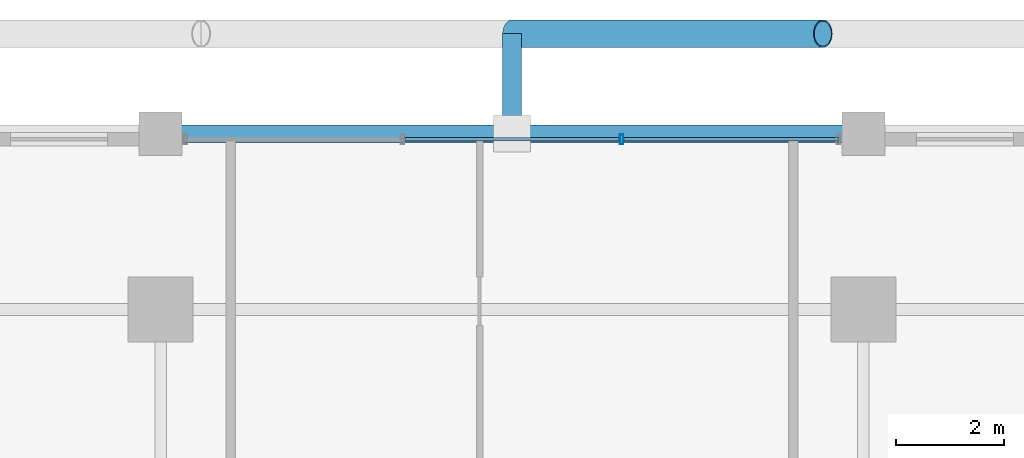
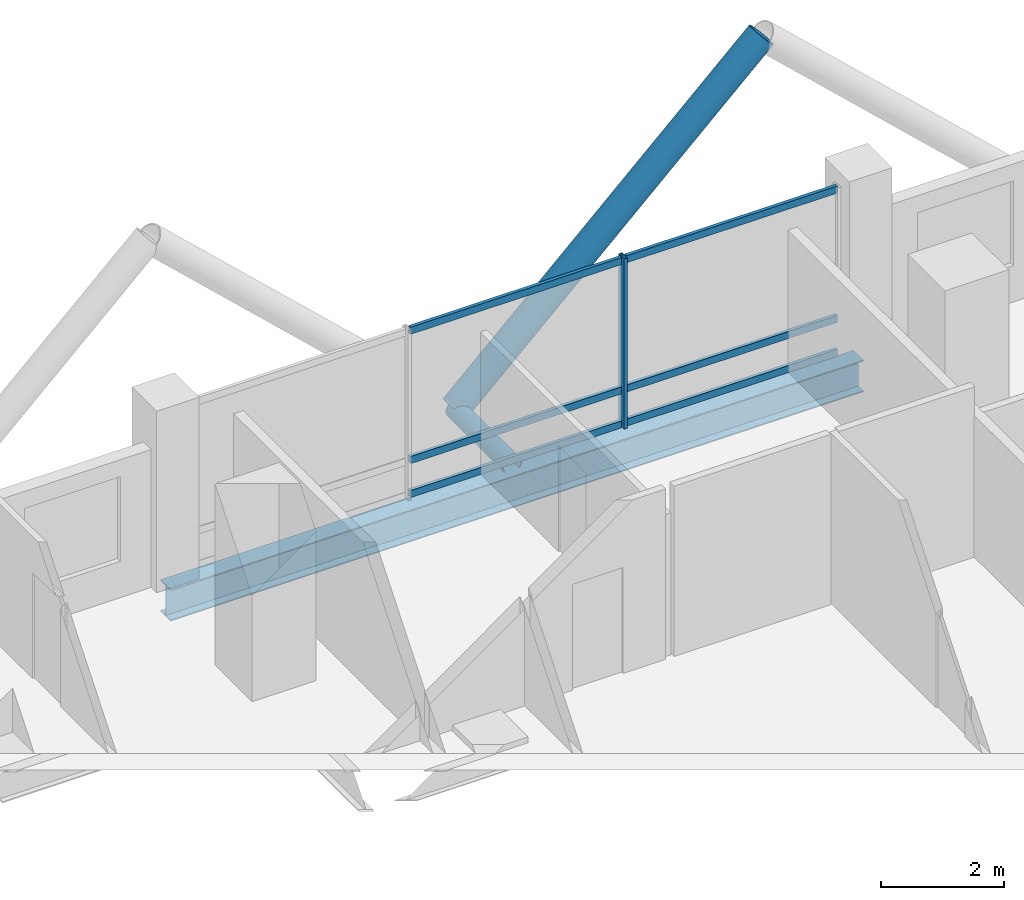
# One storey, part 15 of 24: 9 members, 1 beam, 1 element without a shape of its own.
"""IFC4 building model written with IfcOpenShell, lengths in metres."""

from ifc_helpers import new_model, si_unit, direction, frame, origin, origin_2d, place, context, subcontext, project, spatial, hollow_rectangle, hollow_circle, i_section, extrude, material, layer, layer_set, material_profile, profile_set, type_object, element, aggregate, save


model = new_model("IFC4")

# Units and contexts
model_context = context("Model", 3, precision=1e-05, world=origin(), true_north=direction((0.0, 1.0)))
body_context = subcontext(model_context, "Body", "Model", "MODEL_VIEW")
ifc_project = project(units=[si_unit("LENGTHUNIT", "METRE"), si_unit("AREAUNIT", "SQUARE_METRE"), si_unit("VOLUMEUNIT", "CUBIC_METRE"), si_unit("PLANEANGLEUNIT", "RADIAN"), si_unit("MASSUNIT", "GRAM", prefix="KILO")], contexts=[model_context])

# Site, building, storey
site_placement = place(None, origin())
site = spatial("IfcSite", under=ifc_project, at=site_placement, CompositionType="ELEMENT")
building_placement = place(site_placement, origin())
building = spatial("IfcBuilding", under=site, at=building_placement, Name="Barlavira Tower and Art Museum", CompositionType="ELEMENT")
storey_placement = place(building_placement, frame((0.0, 0.0, 109.800048828125)))
storey = spatial("IfcBuildingStorey", under=building, at=storey_placement, Name="L27", CompositionType="ELEMENT", Elevation=109.800048828125)

# Curtain wall, members
ifc_material_1 = material(Name="Low-iron coastal laminated glass", Category="glass")
ifc_layer = layer(ifc_material_1, 0.18994140625, Name="Low-iron coastal laminated glass")
ifc_layer_set = layer_set([ifc_layer], Name="Low-iron coastal laminated glass")
curtain_wall_type = type_object("IfcCurtainWallType", Name="Pale-Metal Unitised Curtain Wall Zone 2", PredefinedType="NOTDEFINED", material=ifc_layer_set)
curtain_wall_placement = place(storey_placement, origin())
curtain_wall = element("IfcCurtainWall", 1, at=curtain_wall_placement, inside=storey, type_object=curtain_wall_type, Name="L27 Curtain Wall CW2-L27-N-B3", PredefinedType="NOTDEFINED")
ifc_material_2 = material(Name="Pale anodised aluminium", Category="aluminium")
ifc_material_profile_1 = material_profile(ifc_material_2, hollow_rectangle(XDim=0.06494140625, YDim=0.179931640625, WallThickness=0.00390625, at=origin_2d()), Name="ALU-MULL 65x180x4")
ifc_profile_set_1 = profile_set([ifc_material_profile_1], Name="Pale anodised aluminium")
member_type_1 = type_object("IfcMemberType", Name="Curtain Wall Pale-Metal Mullion 65x180", PredefinedType="MULLION", material=ifc_profile_set_1)
member_1_placement = place(storey_placement, frame((2.026611328125, 23.14990234375, 0.0), z_axis=(0.0, 0.0, 1.0), x_axis=(-1.0, 0.0, 0.0)))
member_1 = element("IfcMember", 2, at=member_1_placement, type_object=member_type_1, Name="CW2-L27-N-B3 Mullion 1", PredefinedType="MULLION", context=body_context, shape_type="SweptSolid", body=[
    extrude(hollow_rectangle(XDim=0.06494140625, YDim=0.179931640625, WallThickness=0.00390625, at=origin_2d()), origin(), (0.0, 0.0, 1.0), 3.3798828125),
])
ifc_material_profile_2 = material_profile(ifc_material_2, hollow_rectangle(XDim=0.06494140625, YDim=0.139892578125, WallThickness=0.00390625, at=origin_2d()), Name="ALU-TRAN 65x140x4")
ifc_profile_set_2 = profile_set([ifc_material_profile_2], Name="Pale anodised aluminium")
member_type_2 = type_object("IfcMemberType", Name="Curtain Wall Pale-Metal Transom 65x140", PredefinedType="USERDEFINED", material=ifc_profile_set_2)
member_2_placement = place(storey_placement, frame((6.034912109375, 23.14990234375, 0.070068359375), z_axis=(-1.0, 0.0, 0.0), x_axis=(0.0, -1.0, 0.0)))
member_2 = element("IfcMember", 3, at=member_2_placement, type_object=member_type_2, Name="CW2-L27-N-B3 Transom 0.1", ObjectType="TRANSOM", PredefinedType="USERDEFINED", context=body_context, shape_type="SweptSolid", body=[
    extrude(hollow_rectangle(XDim=0.06494140625, YDim=0.139892578125, WallThickness=0.00390625, at=origin_2d()), origin(), (0.0, 0.0, 1.0), 3.963134765625),
])
member_3_placement = place(storey_placement, frame((6.034912109375, 23.14990234375, 0.743896484375), z_axis=(-1.0, 0.0, 0.0), x_axis=(0.0, -1.0, 0.0)))
member_3 = element("IfcMember", 4, at=member_3_placement, type_object=member_type_2, Name="CW2-L27-N-B3 Transom 0.2", ObjectType="TRANSOM", PredefinedType="USERDEFINED", context=body_context, shape_type="SweptSolid", body=[
    extrude(hollow_rectangle(XDim=0.06494140625, YDim=0.139892578125, WallThickness=0.00390625, at=origin_2d()), origin(), (0.0, 0.0, 1.0), 3.963134765625),
])
member_4_placement = place(storey_placement, frame((6.034912109375, 23.14990234375, 3.31005859375), z_axis=(-1.0, 0.0, 0.0), x_axis=(0.0, -1.0, 0.0)))
member_4 = element("IfcMember", 5, at=member_4_placement, type_object=member_type_2, Name="CW2-L27-N-B3 Transom 0.3", ObjectType="TRANSOM", PredefinedType="USERDEFINED", context=body_context, shape_type="SweptSolid", body=[
    extrude(hollow_rectangle(XDim=0.06494140625, YDim=0.139892578125, WallThickness=0.00390625, at=origin_2d()), origin(), (0.0, 0.0, 1.0), 3.963134765625),
])
member_5_placement = place(storey_placement, frame((1.981689453125, 23.14990234375, 0.070068359375), z_axis=(-1.0, 0.0, 0.0), x_axis=(0.0, -1.0, 0.0)))
member_5 = element("IfcMember", 6, at=member_5_placement, type_object=member_type_2, Name="CW2-L27-N-B3 Transom 1.1", ObjectType="TRANSOM", PredefinedType="USERDEFINED", context=body_context, shape_type="SweptSolid", body=[
    extrude(hollow_rectangle(XDim=0.06494140625, YDim=0.139892578125, WallThickness=0.00390625, at=origin_2d()), origin(), (0.0, 0.0, 1.0), 3.96337890625),
])
member_6_placement = place(storey_placement, frame((1.981689453125, 23.14990234375, 0.743896484375), z_axis=(-1.0, 0.0, 0.0), x_axis=(0.0, -1.0, 0.0)))
member_6 = element("IfcMember", 7, at=member_6_placement, type_object=member_type_2, Name="CW2-L27-N-B3 Transom 1.2", ObjectType="TRANSOM", PredefinedType="USERDEFINED", context=body_context, shape_type="SweptSolid", body=[
    extrude(hollow_rectangle(XDim=0.06494140625, YDim=0.139892578125, WallThickness=0.00390625, at=origin_2d()), origin(), (0.0, 0.0, 1.0), 3.96337890625),
])
member_7_placement = place(storey_placement, frame((1.981689453125, 23.14990234375, 3.31005859375), z_axis=(-1.0, 0.0, 0.0), x_axis=(0.0, -1.0, 0.0)))
member_7 = element("IfcMember", 8, at=member_7_placement, type_object=member_type_2, Name="CW2-L27-N-B3 Transom 1.3", ObjectType="TRANSOM", PredefinedType="USERDEFINED", context=body_context, shape_type="SweptSolid", body=[
    extrude(hollow_rectangle(XDim=0.06494140625, YDim=0.139892578125, WallThickness=0.00390625, at=origin_2d()), origin(), (0.0, 0.0, 1.0), 3.96337890625),
])
aggregate(curtain_wall, [member_1, member_2, member_3, member_4, member_5, member_6, member_7])

# Members
ifc_material_3 = material(Name="Steel S355", Category="steel")
ifc_material_profile_3 = material_profile(ifc_material_3, hollow_circle(Radius=0.25390625, WallThickness=0.022216796875, at=origin_2d()), Name="CHS 508.0x22.2")
ifc_profile_set_3 = profile_set([ifc_material_profile_3], Name="Steel S355")
member_type_3 = type_object("IfcMemberType", Name="Pale-Metal Exoskeleton Diagrid Tube CHS 508x22 Steel S355", PredefinedType="BRACE", material=ifc_profile_set_3)
member_8_placement = place(storey_placement, frame((0.0, 25.10009765625, -0.1201171875), z_axis=(0.728934650808, 0.0, 0.684583285548), x_axis=(0.0, 1.0, 0.0)))
element("IfcMember", 9, at=member_8_placement, inside=storey, type_object=member_type_3, Name="L27 Exoskeleton Diagrid Tube N", PredefinedType="BRACE", context=body_context, shape_type="SweptSolid", body=[
    extrude(hollow_circle(Radius=0.25390625, WallThickness=0.022216796875, at=origin_2d()), origin(), (0.0, 0.0, 1.0), 7.88818359375),
])
ifc_material_profile_4 = material_profile(ifc_material_3, hollow_circle(Radius=0.177734375, WallThickness=0.01611328125, at=origin_2d()), Name="CHS 355.6x16.0")
ifc_profile_set_4 = profile_set([ifc_material_profile_4], Name="Steel S355")
member_type_4 = type_object("IfcMemberType", Name="Pale-Metal Exoskeleton Tie Strut CHS 356x16 Steel S355", PredefinedType="STRUT", material=ifc_profile_set_4)
member_9_placement = place(storey_placement, frame((0.0, 25.10009765625, -0.1201171875), z_axis=(0.0, -1.0, 0.0), x_axis=(1.0, 0.0, 0.0)))
element("IfcMember", 10, at=member_9_placement, inside=storey, type_object=member_type_4, Name="L27 Exoskeleton Tie Strut N2", PredefinedType="STRUT", context=body_context, shape_type="SweptSolid", body=[
    extrude(hollow_circle(Radius=0.177734375, WallThickness=0.01611328125, at=origin_2d()), origin(), (0.0, 0.0, 1.0), 1.85009765625),
])

# Beam
ifc_material_profile_5 = material_profile(ifc_material_3, i_section(OverallWidth=0.327880859375, OverallDepth=0.62890625, WebThickness=0.013916015625, FlangeThickness=0.021484375, at=origin_2d()), Name="W610x174.0")
ifc_profile_set_5 = profile_set([ifc_material_profile_5], Name="Steel S355")
beam_type = type_object("IfcBeamType", Name="Perimeter Spandrel Edge Beam W610x174 Steel S355", PredefinedType="SPANDREL", material=ifc_profile_set_5)
beam_placement = place(storey_placement, frame((-6.5, 23.25, -0.53466796875), z_axis=(1.0, 0.0, 0.0), x_axis=(0.0, 1.0, 0.0)))
element("IfcBeam", 11, at=beam_placement, inside=storey, type_object=beam_type, Name="L27 Spandrel 10", PredefinedType="SPANDREL", context=body_context, shape_type="SweptSolid", body=[
    extrude(i_section(OverallWidth=0.327880859375, OverallDepth=0.62890625, WebThickness=0.013916015625, FlangeThickness=0.021484375, at=origin_2d()), origin(), (0.0, 0.0, 1.0), 13.0),
])

save(model, "model.ifc")
